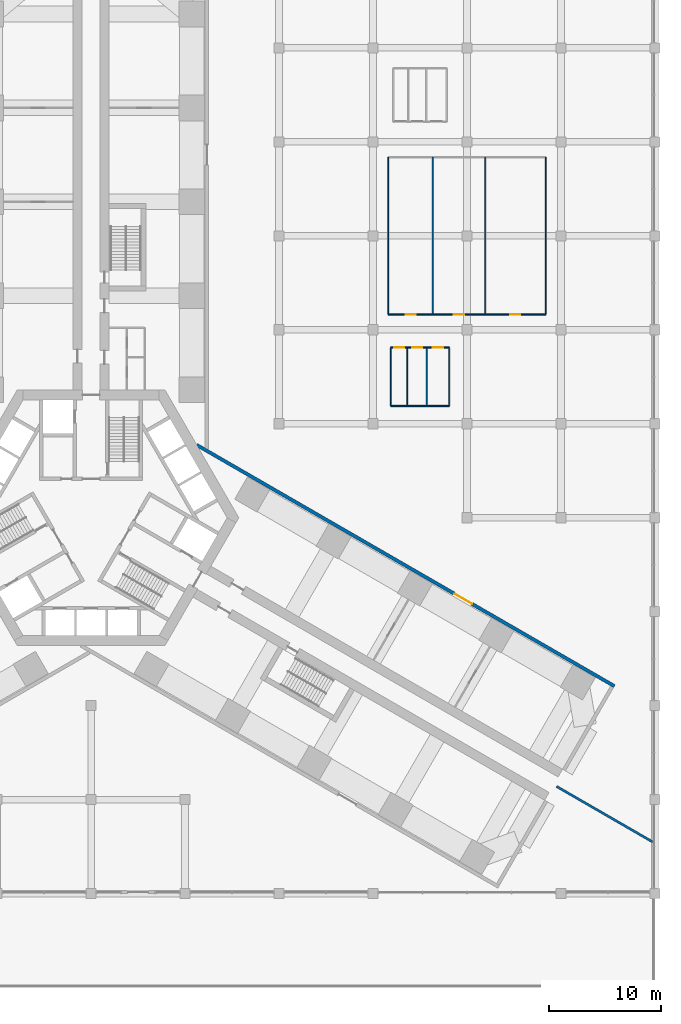
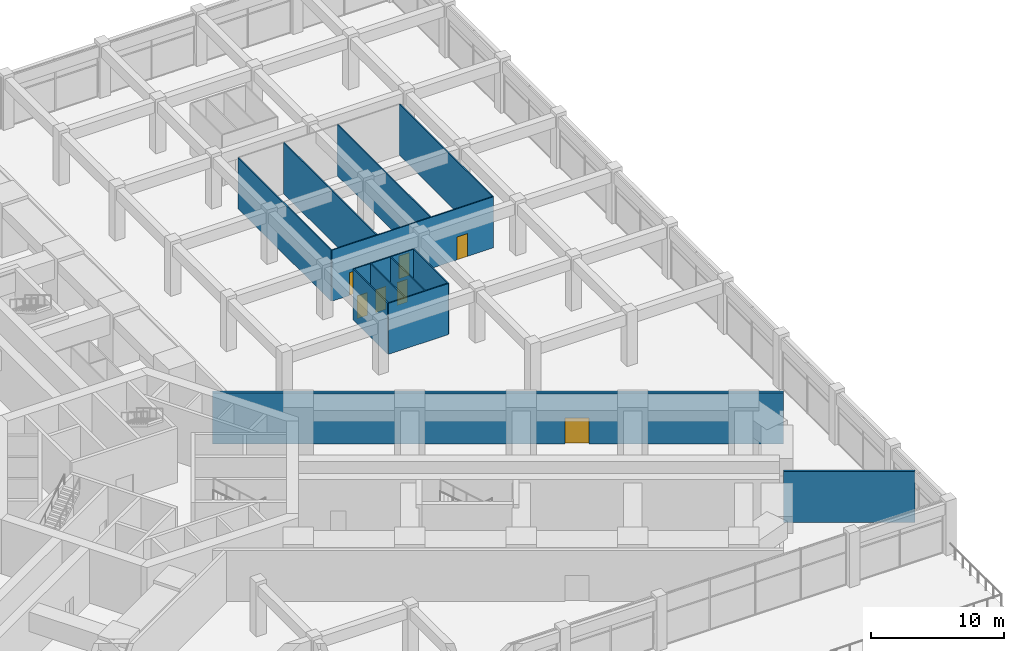
# One storey, part 31 of 36: 13 walls, 7 doors, 7 openings.
"""IFC4 building model written with IfcOpenShell, lengths in metres."""

from ifc_helpers import new_model, si_unit, direction, frame, frame_2d, origin, place, context, subcontext, project, spatial, rectangle, extrude, material, layer, layer_set, type_object, element, fill, save


model = new_model("IFC4")

# Units and contexts
model_context = context("Model", 3, precision=1e-05, world=origin(), true_north=direction((0.0, 1.0)))
body_context = subcontext(model_context, "Body", "Model", "MODEL_VIEW")
ifc_project = project(units=[si_unit("LENGTHUNIT", "METRE"), si_unit("AREAUNIT", "SQUARE_METRE"), si_unit("VOLUMEUNIT", "CUBIC_METRE"), si_unit("PLANEANGLEUNIT", "RADIAN"), si_unit("MASSUNIT", "GRAM", prefix="KILO")], contexts=[model_context])

# Site, building, storey
site_placement = place(None, origin())
site = spatial("IfcSite", under=ifc_project, at=site_placement, CompositionType="ELEMENT")
building_placement = place(site_placement, origin())
building = spatial("IfcBuilding", under=site, at=building_placement, Name="Impinga Residences", CompositionType="ELEMENT")
storey_placement = place(building_placement, frame((0.0, 0.0, 6.0)))
storey = spatial("IfcBuildingStorey", under=building, at=storey_placement, Name="L01", CompositionType="ELEMENT", Elevation=6.0)

# Wall, openings, doors
ifc_material_1 = material(Name="Gypsum board on steel studs", Category="steel")
ifc_layer_1 = layer(ifc_material_1, 0.10009765625)
ifc_layer_set_1 = layer_set([ifc_layer_1], Name="Gypsum board on steel studs")
wall_type_1 = type_object("IfcWallType", Name="IP1 partition 100", PredefinedType="PARTITIONING", material=ifc_layer_set_1)
wall_1_placement = place(storey_placement, frame((26.570068359375, 18.169921875, 0.0), z_axis=(0.0, 0.0, 1.0), x_axis=(1.0, 0.0, 0.0)))
wall_1 = element("IfcWall", 1, at=wall_1_placement, inside=storey, type_object=wall_type_1, Name="Partition L01:REG:NE:BLKS", PredefinedType="PARTITIONING", context=body_context, shape_type="SweptSolid", body=[
    extrude(rectangle(XDim=14.059814453125, YDim=0.10009765625, at=frame_2d((7.02978515625, 0.0))), origin(), (0.0, 0.0, 1.0), 4.699951171875),
])
opening_1_placement = place(wall_1_placement, frame((1.535888671875, 0.0, 0.0)))
opening_1 = element("IfcOpeningElement", 2, at=opening_1_placement, cuts=wall_1, Name="Opening D2", PredefinedType="OPENING", context=body_context, shape_type="SweptSolid", body=[
    extrude(rectangle(XDim=0.89990234375, YDim=2.10009765625, at=frame_2d((0.449951171875, 1.050048828125))), frame((0.0, 0.06005859375, 0.0), z_axis=(0.0, -1.0, 0.0), x_axis=(1.0, 0.0, 0.0)), (0.0, 0.0, 1.0), 0.1201171875),
])
opening_2_placement = place(wall_1_placement, frame((5.864990234375, 0.0, 0.0)))
opening_2 = element("IfcOpeningElement", 3, at=opening_2_placement, cuts=wall_1, Name="Opening D2", PredefinedType="OPENING", context=body_context, shape_type="SweptSolid", body=[
    extrude(rectangle(XDim=0.89990234375, YDim=2.10009765625, at=frame_2d((0.449951171875, 1.050048828125))), frame((0.0, 0.06005859375, 0.0), z_axis=(0.0, -1.0, 0.0), x_axis=(1.0, 0.0, 0.0)), (0.0, 0.0, 1.0), 0.1201171875),
])
opening_3_placement = place(wall_1_placement, frame((10.9091796875, 0.0, 0.0)))
opening_3 = element("IfcOpeningElement", 4, at=opening_3_placement, cuts=wall_1, Name="Opening D2", PredefinedType="OPENING", context=body_context, shape_type="SweptSolid", body=[
    extrude(rectangle(XDim=0.89990234375, YDim=2.10009765625, at=frame_2d((0.449951171875, 1.050048828125))), frame((0.0, 0.06005859375, 0.0), z_axis=(0.0, -1.0, 0.0), x_axis=(1.0, 0.0, 0.0)), (0.0, 0.0, 1.0), 0.1201171875),
])
ifc_material_2 = material(Name="Timber door set", Category="wood")
door_type_1 = type_object("IfcDoorType", Name="D2 internal door 900x2100", OperationType="SINGLE_SWING_LEFT", PredefinedType="DOOR", material=ifc_material_2)
door_1_placement = place(opening_1_placement, origin())
door_1 = element("IfcDoor", 5, at=door_1_placement, inside=storey, type_object=door_type_1, Name="Club room door", OperationType="SINGLE_SWING_LEFT", OverallHeight=2.10009765625, OverallWidth=0.89990234375, PredefinedType="DOOR", context=body_context, shape_type="SweptSolid", body=[
    extrude(rectangle(XDim=0.89990234375, YDim=2.10009765625, at=frame_2d((0.449951171875, 1.050048828125))), frame((0.0, 0.02490234375, 0.0), z_axis=(0.0, -1.0, 0.0), x_axis=(1.0, 0.0, 0.0)), (0.0, 0.0, 1.0), 0.050048828125),
])
fill(opening_1, door_1)
door_2_placement = place(opening_2_placement, origin())
door_2 = element("IfcDoor", 6, at=door_2_placement, inside=storey, type_object=door_type_1, Name="Meeting room door", OperationType="SINGLE_SWING_LEFT", OverallHeight=2.10009765625, OverallWidth=0.89990234375, PredefinedType="DOOR", context=body_context, shape_type="SweptSolid", body=[
    extrude(rectangle(XDim=0.89990234375, YDim=2.10009765625, at=frame_2d((0.449951171875, 1.050048828125))), frame((0.0, 0.02490234375, 0.0), z_axis=(0.0, -1.0, 0.0), x_axis=(1.0, 0.0, 0.0)), (0.0, 0.0, 1.0), 0.050048828125),
])
fill(opening_2, door_2)
door_3_placement = place(opening_3_placement, origin())
door_3 = element("IfcDoor", 7, at=door_3_placement, inside=storey, type_object=door_type_1, Name="Card room door", OperationType="SINGLE_SWING_RIGHT", OverallHeight=2.10009765625, OverallWidth=0.89990234375, PredefinedType="DOOR", context=body_context, shape_type="SweptSolid", body=[
    extrude(rectangle(XDim=0.89990234375, YDim=2.10009765625, at=frame_2d((0.449951171875, 1.050048828125))), frame((0.0, 0.02490234375, 0.0), z_axis=(0.0, -1.0, 0.0), x_axis=(1.0, 0.0, 0.0)), (0.0, 0.0, 1.0), 0.050048828125),
])
fill(opening_3, door_3)

# Walls
for number, where, z_axis, x_axis, name in (
    (8, (40.6298828125, 18.169921875, 0.0), (0.0, 0.0, 1.0), (0.0, 1.0, 0.0), "Partition L01:REG:NE:BLKE"),
    (9, (26.570068359375, 32.22998046875, 0.0), (0.0, 0.0, 1.0), (0.0, -1.0, 0.0), "Partition L01:REG:NE:BLKW"),
    (10, (30.541748046875, 18.169921875, 0.0), (0.0, 0.0, 1.0), (0.0, 1.0, 0.0), "Partition L01:REG:NE:BLKP1"),
    (11, (35.228515625, 18.169921875, 0.0), (0.0, 0.0, 1.0), (0.0, 1.0, 0.0), "Partition L01:REG:NE:BLKP2"),
):
    element("IfcWall", number, at=place(storey_placement, frame(where, z_axis=z_axis, x_axis=x_axis)), inside=storey, type_object=wall_type_1, Name=name, PredefinedType="PARTITIONING", context=body_context, shape_type="SweptSolid", body=[
        extrude(rectangle(XDim=14.06005859375, YDim=0.10009765625, at=frame_2d((7.030029296875, 0.0))), origin(), (0.0, 0.0, 1.0), 4.699951171875),
    ])
for number, where, z_axis, x_axis, name in (
    (12, (26.7900390625, 9.989990234375, 0.0), (0.0, 0.0, 1.0), (1.0, 0.0, 0.0), "Partition L01:REG:NE:B2:BLKS"),
    (13, (32.010009765625, 9.989990234375, 0.0), (0.0, 0.0, 1.0), (0.0, 1.0, 0.0), "Partition L01:REG:NE:B2:BLKE"),
):
    element("IfcWall", number, at=place(storey_placement, frame(where, z_axis=z_axis, x_axis=x_axis)), inside=storey, type_object=wall_type_1, Name=name, PredefinedType="PARTITIONING", context=body_context, shape_type="SweptSolid", body=[
        extrude(rectangle(XDim=5.219970703125, YDim=0.10009765625, at=frame_2d((2.60986328125, 0.0))), origin(), (0.0, 0.0, 1.0), 4.699951171875),
    ])

# Wall, openings, doors
wall_2_placement = place(storey_placement, frame((32.010009765625, 15.2099609375, 0.0), z_axis=(0.0, 0.0, 1.0), x_axis=(-1.0, 0.0, 0.0)))
wall_2 = element("IfcWall", 14, at=wall_2_placement, inside=storey, type_object=wall_type_1, Name="Partition L01:REG:NE:B2:BLKN", PredefinedType="PARTITIONING", context=body_context, shape_type="SweptSolid", body=[
    extrude(rectangle(XDim=5.219970703125, YDim=0.10009765625, at=frame_2d((2.60986328125, 0.0))), origin(), (0.0, 0.0, 1.0), 4.699951171875),
])
opening_4_placement = place(wall_2_placement, frame((4.03271484375, 0.0, 0.0)))
opening_4 = element("IfcOpeningElement", 15, at=opening_4_placement, cuts=wall_2, Name="Opening D2", PredefinedType="OPENING", context=body_context, shape_type="SweptSolid", body=[
    extrude(rectangle(XDim=0.89990234375, YDim=2.10009765625, at=frame_2d((0.449951171875, 1.050048828125))), frame((0.0, 0.06005859375, 0.0), z_axis=(0.0, -1.0, 0.0), x_axis=(1.0, 0.0, 0.0)), (0.0, 0.0, 1.0), 0.1201171875),
])
opening_5_placement = place(wall_2_placement, frame((2.425537109375, 0.0, 0.0)))
opening_5 = element("IfcOpeningElement", 16, at=opening_5_placement, cuts=wall_2, Name="Opening D2", PredefinedType="OPENING", context=body_context, shape_type="SweptSolid", body=[
    extrude(rectangle(XDim=0.89990234375, YDim=2.10009765625, at=frame_2d((0.449951171875, 1.050048828125))), frame((0.0, 0.06005859375, 0.0), z_axis=(0.0, -1.0, 0.0), x_axis=(1.0, 0.0, 0.0)), (0.0, 0.0, 1.0), 0.1201171875),
])
opening_6_placement = place(wall_2_placement, frame((0.552734375, 0.0, 0.0)))
opening_6 = element("IfcOpeningElement", 17, at=opening_6_placement, cuts=wall_2, Name="Opening D2", PredefinedType="OPENING", context=body_context, shape_type="SweptSolid", body=[
    extrude(rectangle(XDim=0.89990234375, YDim=2.10009765625, at=frame_2d((0.449951171875, 1.050048828125))), frame((0.0, 0.06005859375, 0.0), z_axis=(0.0, -1.0, 0.0), x_axis=(1.0, 0.0, 0.0)), (0.0, 0.0, 1.0), 0.1201171875),
])
door_4_placement = place(opening_4_placement, origin())
door_4 = element("IfcDoor", 18, at=door_4_placement, inside=storey, type_object=door_type_1, Name="Lounge kitchenette door", OperationType="SINGLE_SWING_RIGHT", OverallHeight=2.10009765625, OverallWidth=0.89990234375, PredefinedType="DOOR", context=body_context, shape_type="SweptSolid", body=[
    extrude(rectangle(XDim=0.89990234375, YDim=2.10009765625, at=frame_2d((0.449951171875, 1.050048828125))), frame((0.0, 0.02490234375, 0.0), z_axis=(0.0, -1.0, 0.0), x_axis=(1.0, 0.0, 0.0)), (0.0, 0.0, 1.0), 0.050048828125),
])
fill(opening_4, door_4)
door_5_placement = place(opening_5_placement, origin())
door_5 = element("IfcDoor", 19, at=door_5_placement, inside=storey, type_object=door_type_1, Name="Games store door", OperationType="SINGLE_SWING_RIGHT", OverallHeight=2.10009765625, OverallWidth=0.89990234375, PredefinedType="DOOR", context=body_context, shape_type="SweptSolid", body=[
    extrude(rectangle(XDim=0.89990234375, YDim=2.10009765625, at=frame_2d((0.449951171875, 1.050048828125))), frame((0.0, 0.02490234375, 0.0), z_axis=(0.0, -1.0, 0.0), x_axis=(1.0, 0.0, 0.0)), (0.0, 0.0, 1.0), 0.050048828125),
])
fill(opening_5, door_5)
door_6_placement = place(opening_6_placement, origin())
door_6 = element("IfcDoor", 20, at=door_6_placement, inside=storey, type_object=door_type_1, Name="Lounge office door", OperationType="SINGLE_SWING_LEFT", OverallHeight=2.10009765625, OverallWidth=0.89990234375, PredefinedType="DOOR", context=body_context, shape_type="SweptSolid", body=[
    extrude(rectangle(XDim=0.89990234375, YDim=2.10009765625, at=frame_2d((0.449951171875, 1.050048828125))), frame((0.0, 0.02490234375, 0.0), z_axis=(0.0, -1.0, 0.0), x_axis=(1.0, 0.0, 0.0)), (0.0, 0.0, 1.0), 0.050048828125),
])
fill(opening_6, door_6)

# Walls
for number, where, z_axis, x_axis, name in (
    (21, (26.7900390625, 15.2099609375, 0.0), (0.0, 0.0, 1.0), (0.0, -1.0, 0.0), "Partition L01:REG:NE:B2:BLKW"),
    (22, (28.2646484375, 9.989990234375, 0.0), (0.0, 0.0, 1.0), (0.0, 1.0, 0.0), "Partition L01:REG:NE:B2:BLKP1"),
    (23, (30.004638671875, 9.989990234375, 0.0), (0.0, 0.0, 1.0), (0.0, 1.0, 0.0), "Partition L01:REG:NE:B2:BLKP2"),
):
    element("IfcWall", number, at=place(storey_placement, frame(where, z_axis=z_axis, x_axis=x_axis)), inside=storey, type_object=wall_type_1, Name=name, PredefinedType="PARTITIONING", context=body_context, shape_type="SweptSolid", body=[
        extrude(rectangle(XDim=5.219970703125, YDim=0.10009765625, at=frame_2d((2.60986328125, 0.0))), origin(), (0.0, 0.0, 1.0), 4.699951171875),
    ])
ifc_material_3 = material(Name="Concrete blockwork", Category="masonry")
ifc_layer_2 = layer(ifc_material_3, 0.199951171875)
ifc_layer_set_2 = layer_set([ifc_layer_2], Name="PW2 podium compartment wall 200")
wall_type_2 = type_object("IfcWallType", Name="PW2 podium compartment wall 200", PredefinedType="SOLIDWALL", material=ifc_layer_set_2)
wall_3_placement = place(storey_placement, frame((41.596435546875, -24.015869140625, 0.0), z_axis=(0.0, 0.0, 1.0), x_axis=(0.866027790195, -0.499995866593, 0.0)))
element("IfcWall", 24, at=wall_3_placement, inside=storey, type_object=wall_type_2, Name="Podium compartment wall L01:REG:E", PredefinedType="SOLIDWALL", context=body_context, shape_type="SweptSolid", body=[
    extrude(rectangle(XDim=9.91943359375, YDim=0.199951171875, at=frame_2d((4.959716796875, 0.0))), origin(), (0.0, 0.0, 1.0), 4.699951171875),
])

# Wall, opening, door
ifc_layer_3 = layer(ifc_material_3, 0.300048828125)
ifc_layer_set_3 = layer_set([ifc_layer_3], Name="PW3 podium wall on the wing face 300")
wall_type_3 = type_object("IfcWallType", Name="PW3 podium wall on the wing face 300", PredefinedType="SOLIDWALL", material=ifc_layer_set_3)
wall_4_placement = place(storey_placement, frame((9.449951171875, 6.4951171875, 0.0), z_axis=(0.0, 0.0, 1.0), x_axis=(0.866025301493, -0.500000177174, 0.0)))
wall_4 = element("IfcWall", 25, at=wall_4_placement, inside=storey, type_object=wall_type_3, Name="Podium wall on the wing face L01:SIDE:EA0", PredefinedType="SOLIDWALL", context=body_context, shape_type="SweptSolid", body=[
    extrude(rectangle(XDim=43.09521484375, YDim=0.300048828125, at=frame_2d((21.547607421875, 0.0))), origin(), (0.0, 0.0, 1.0), 4.699951171875),
])
opening_7_placement = place(wall_4_placement, frame((26.59521484375, 0.0, 0.0)))
opening_7 = element("IfcOpeningElement", 26, at=opening_7_placement, cuts=wall_4, Name="Opening D7", PredefinedType="OPENING", context=body_context, shape_type="SweptSolid", body=[
    extrude(rectangle(XDim=1.800048828125, YDim=2.39990234375, at=frame_2d((0.89990234375, 1.199951171875))), frame((0.0, 0.159912109375, 0.0), z_axis=(0.0, -1.0, 0.0), x_axis=(1.0, 0.0, 0.0)), (0.0, 0.0, 1.0), 0.320068359375),
])
door_type_2 = type_object("IfcDoorType", Name="D7 podium door pair 1800x2400", OperationType="DOUBLE_DOOR_DOUBLE_SWING", PredefinedType="DOOR", material=ifc_material_2)
door_7_placement = place(opening_7_placement, origin())
door_7 = element("IfcDoor", 27, at=door_7_placement, inside=storey, type_object=door_type_2, Name="Double door EA", OperationType="DOUBLE_DOOR_DOUBLE_SWING", OverallHeight=2.39990234375, OverallWidth=1.800048828125, PredefinedType="DOOR", context=body_context, shape_type="SweptSolid", body=[
    extrude(rectangle(XDim=1.800048828125, YDim=2.39990234375, at=frame_2d((0.89990234375, 1.199951171875))), frame((0.0, 0.02490234375, 0.0), z_axis=(0.0, -1.0, 0.0), x_axis=(1.0, 0.0, 0.0)), (0.0, 0.0, 1.0), 0.050048828125),
])
fill(opening_7, door_7)

save(model, "model.ifc")
